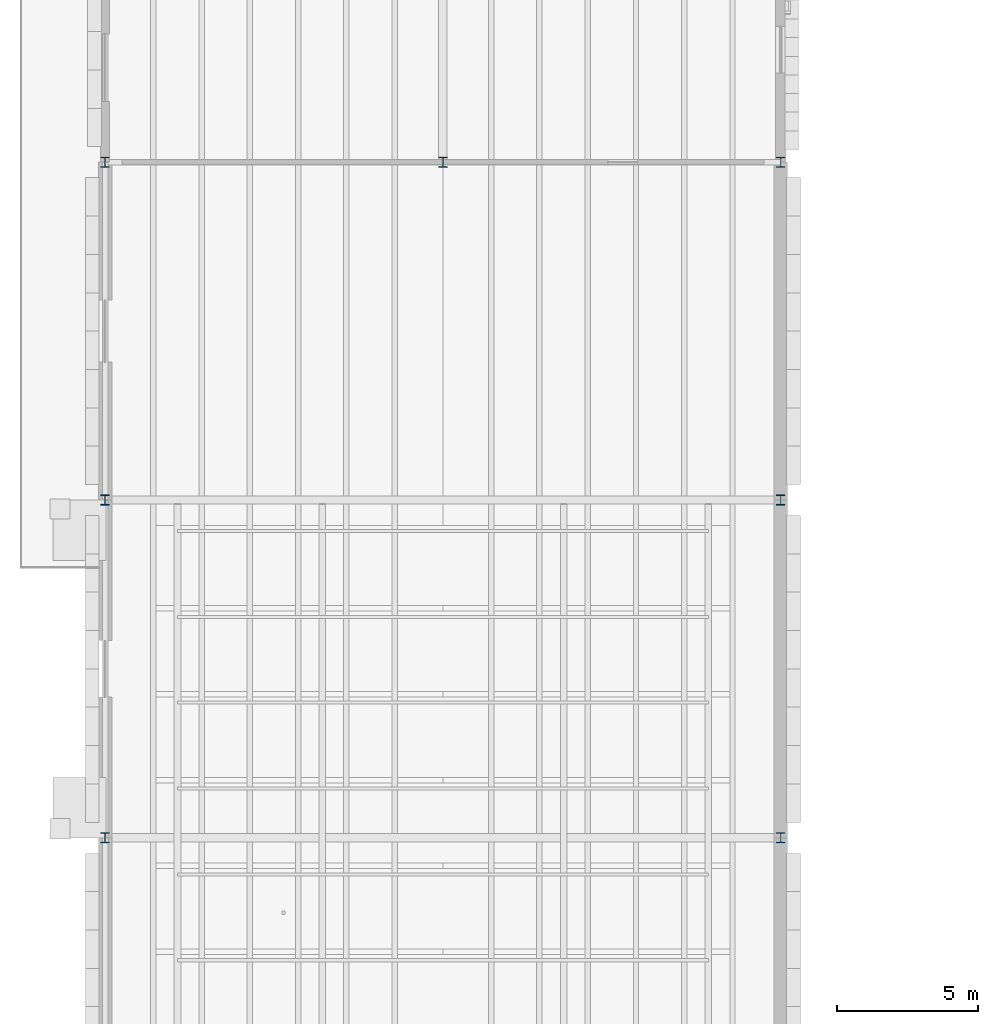
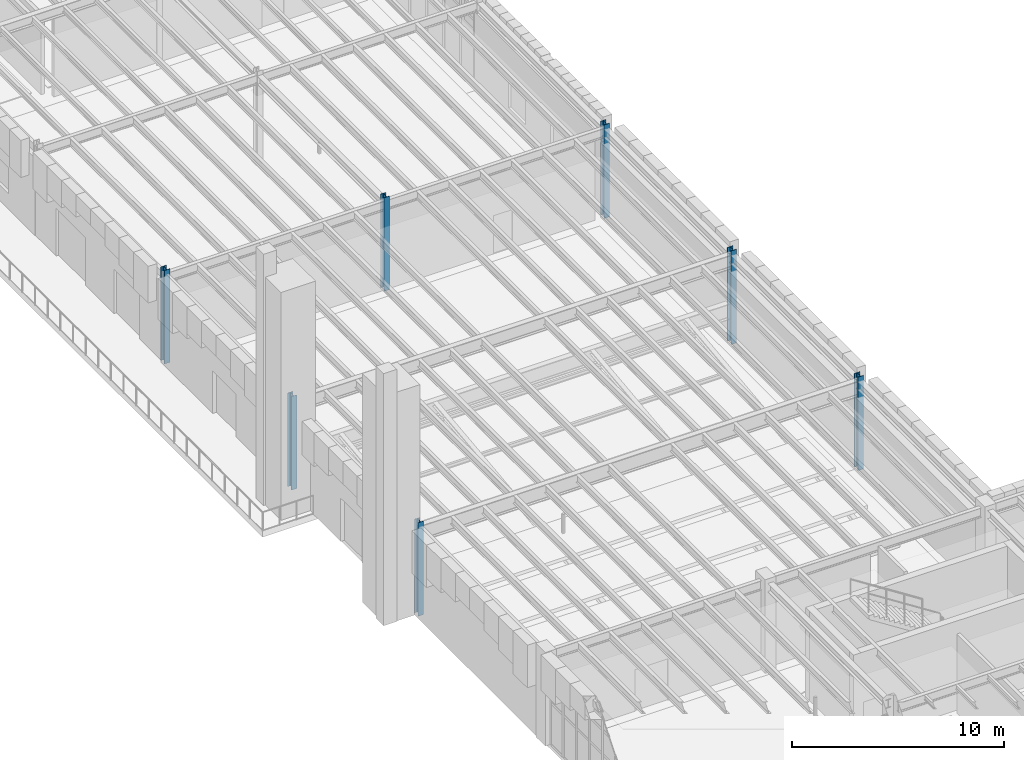
# One storey, part 2 of 103: 7 columns.
"""IFC4 building model written with IfcOpenShell, lengths in metres."""

from ifc_helpers import new_model, si_unit, direction, frame, origin, origin_2d, place, context, subcontext, project, spatial, i_section, extrude, material, material_profile, profile_set, type_object, element, save


model = new_model("IFC4")

# Units and contexts
model_context = context("Model", 3, precision=1e-05, world=origin(), true_north=direction((0.0, 1.0)))
body_context = subcontext(model_context, "Body", "Model", "MODEL_VIEW")
ifc_project = project(units=[si_unit("LENGTHUNIT", "METRE"), si_unit("AREAUNIT", "SQUARE_METRE"), si_unit("VOLUMEUNIT", "CUBIC_METRE"), si_unit("PLANEANGLEUNIT", "RADIAN"), si_unit("MASSUNIT", "GRAM", prefix="KILO")], contexts=[model_context])

# Site, building, storey
site_placement = place(None, origin())
site = spatial("IfcSite", under=ifc_project, at=site_placement, CompositionType="ELEMENT")
building_placement = place(site_placement, origin())
building = spatial("IfcBuilding", under=site, at=building_placement, Name="Zlatogorsky Bluff Art Gallery", CompositionType="ELEMENT")
storey_placement = place(building_placement, origin())
storey = spatial("IfcBuildingStorey", under=building, at=storey_placement, Name="L00", CompositionType="ELEMENT", Elevation=0.0)

# Columns
ifc_material = material(Name="Steel S355", Category="steel")
ifc_material_profile = material_profile(ifc_material, i_section(OverallWidth=0.300048828125, OverallDepth=0.360107421875, WebThickness=0.012451171875, FlangeThickness=0.0224609375, FilletRadius=0.027099609375, at=origin_2d()), Name="HEB 360")
ifc_profile_set = profile_set([ifc_material_profile], Name="Steel S355")
column_type = type_object("IfcColumnType", Name="Column CL-05 HEB 360", PredefinedType="COLUMN", material=ifc_profile_set)
for number, where, z_axis, x_axis, name in (
    (1, (0.0, 38.39990234375, 0.0), (0.0, 0.0, 1.0), (1.0, 0.0, 0.0), "Column CL-05 L00 A5"),
    (2, (0.0, 50.39990234375, 0.0), (0.0, 0.0, 1.0), (1.0, 0.0, 0.0), "Column CL-05 L00 A6"),
    (3, (0.0, 62.39990234375, 0.0), (0.0, 0.0, 1.0), (1.0, 0.0, 0.0), "Column CL-05 L00 A7"),
    (4, (12.0, 62.39990234375, 0.0), (0.0, 0.0, 1.0), (1.0, 0.0, 0.0), "Column CL-05 L00 B7"),
    (5, (24.0, 38.39990234375, 0.0), (0.0, 0.0, 1.0), (1.0, 0.0, 0.0), "Column CL-05 L00 C5"),
    (6, (24.0, 50.39990234375, 0.0), (0.0, 0.0, 1.0), (1.0, 0.0, 0.0), "Column CL-05 L00 C6"),
    (7, (24.0, 62.39990234375, 0.0), (0.0, 0.0, 1.0), (1.0, 0.0, 0.0), "Column CL-05 L00 C7"),
):
    element("IfcColumn", number, at=place(storey_placement, frame(where, z_axis=z_axis, x_axis=x_axis)), inside=storey, type_object=column_type, Name=name, PredefinedType="COLUMN", context=body_context, shape_type="SweptSolid", body=[
        extrude(i_section(OverallWidth=0.300048828125, OverallDepth=0.360107421875, WebThickness=0.012451171875, FlangeThickness=0.0224609375, FilletRadius=0.027099609375, at=origin_2d()), origin(), (0.0, 0.0, 1.0), 5.39990234375),
    ])

save(model, "model.ifc")
